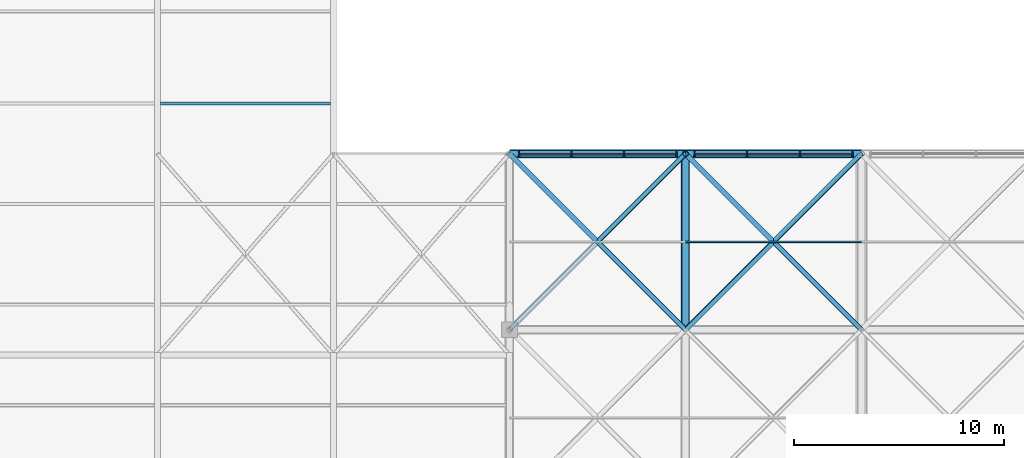
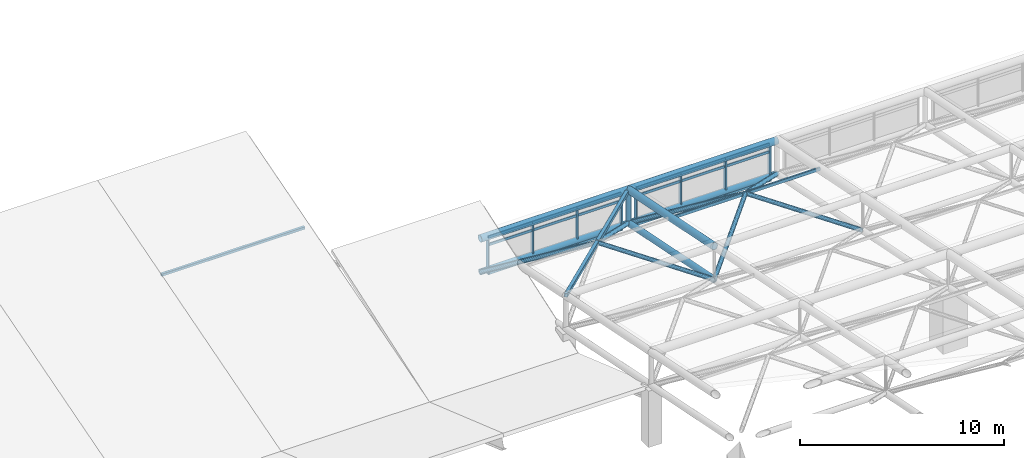
# One storey, part 52 of 110: 43 members, 2 elements without a shape of their own.
"""IFC4 building model written with IfcOpenShell, lengths in metres."""

from ifc_helpers import new_model, si_unit, direction, frame, origin, origin_2d, place, context, subcontext, project, spatial, rectangle, hollow_rectangle, hollow_circle, extrude, material, layer, layer_set, material_profile, profile_set, type_object, element, aggregate, save


model = new_model("IFC4")

# Units and contexts
model_context = context("Model", 3, precision=1e-05, world=origin(), true_north=direction((0.0, 1.0)))
body_context = subcontext(model_context, "Body", "Model", "MODEL_VIEW")
ifc_project = project(units=[si_unit("LENGTHUNIT", "METRE"), si_unit("AREAUNIT", "SQUARE_METRE"), si_unit("VOLUMEUNIT", "CUBIC_METRE"), si_unit("PLANEANGLEUNIT", "RADIAN"), si_unit("MASSUNIT", "GRAM", prefix="KILO")], contexts=[model_context])

# Site, building, storey
site_placement = place(None, origin())
site = spatial("IfcSite", under=ifc_project, at=site_placement, CompositionType="ELEMENT")
building_placement = place(site_placement, origin())
building = spatial("IfcBuilding", under=site, at=building_placement, Name="Qawsi Khor Wholesale Market", CompositionType="ELEMENT")
storey_placement = place(building_placement, frame((0.0, 0.0, 11.39990234375)))
storey = spatial("IfcBuildingStorey", under=building, at=storey_placement, Name="L02", CompositionType="ELEMENT", Elevation=11.39990234375)

# Member
ifc_material_1 = material(Name="Steel S355", Category="steel")
ifc_material_profile_1 = material_profile(ifc_material_1, hollow_rectangle(XDim=0.14990234375, YDim=0.14990234375, WallThickness=0.008056640625, InnerFilletRadius=0.008056640625, OuterFilletRadius=0.01611328125, at=origin_2d()), Name="SHS 150x150x8.0")
ifc_profile_set_1 = profile_set([ifc_material_profile_1], Name="Steel S355")
member_type_1 = type_object("IfcMemberType", Name="Auction Shed Purlin SHS 150x150x8.0", PredefinedType="PURLIN", material=ifc_profile_set_1)
member_1_placement = place(storey_placement, frame((126.14990234375, 111.60009765625, 4.183349609375), z_axis=(1.0, 0.0, 0.0), x_axis=(0.0, 1.0, 0.0)))
element("IfcMember", 1, at=member_1_placement, inside=storey, type_object=member_type_1, Name="Auction Roof Purlin 16-5", PredefinedType="PURLIN", context=body_context, shape_type="SweptSolid", body=[
    extrude(hollow_rectangle(XDim=0.14990234375, YDim=0.14990234375, WallThickness=0.008056640625, InnerFilletRadius=0.008056640625, OuterFilletRadius=0.01611328125, at=origin_2d()), origin(), (0.0, 0.0, 1.0), 8.10009765625),
])

# Curtain wall, members
ifc_material_2 = material(Name="Aluminium Anodised Bronze", Category="aluminium")
ifc_layer = layer(ifc_material_2, 0.199951171875, Name="Aluminium Anodised Bronze")
ifc_layer_set = layer_set([ifc_layer], Name="Aluminium Anodised Bronze")
curtain_wall_type = type_object("IfcCurtainWallType", Name="Trading Hall North-Light Curtain Wall CW-03", PredefinedType="NOTDEFINED", material=ifc_layer_set)
curtain_wall_1_placement = place(storey_placement, origin())
curtain_wall_1 = element("IfcCurtainWall", 2, at=curtain_wall_1_placement, inside=storey, type_object=curtain_wall_type, Name="Curtain wall CW-CW-03-L02-145", PredefinedType="NOTDEFINED")
ifc_material_profile_2 = material_profile(ifc_material_2, rectangle(XDim=0.074951171875, YDim=0.219970703125, at=origin_2d()), Name="ALU MULLION 75x220")
ifc_profile_set_2 = profile_set([ifc_material_profile_2], Name="Aluminium Anodised Bronze")
member_type_2 = type_object("IfcMemberType", Name="Curtain Wall Mullion CW-03 ALU MULLION 75x220", PredefinedType="MULLION", material=ifc_profile_set_2)
member_2_placement = place(storey_placement, frame((143.24755859375, 109.199951171875, -0.289794921875), z_axis=(0.0, 0.0, 1.0), x_axis=(1.0, 0.0, 0.0)))
member_2 = element("IfcMember", 3, at=member_2_placement, type_object=member_type_2, Name="Mullion CW-CW-03-L02-145-M00", PredefinedType="MULLION", context=body_context, shape_type="SweptSolid", body=[
    extrude(rectangle(XDim=0.074951171875, YDim=0.219970703125, at=origin_2d()), origin(), (0.0, 0.0, 1.0), 2.18994140625),
])
member_3_placement = place(storey_placement, frame((145.757568359375, 109.199951171875, -0.289794921875), z_axis=(0.0, 0.0, 1.0), x_axis=(1.0, 0.0, 0.0)))
member_3 = element("IfcMember", 4, at=member_3_placement, type_object=member_type_2, Name="Mullion CW-CW-03-L02-145-M01", PredefinedType="MULLION", context=body_context, shape_type="SweptSolid", body=[
    extrude(rectangle(XDim=0.074951171875, YDim=0.219970703125, at=origin_2d()), origin(), (0.0, 0.0, 1.0), 2.18994140625),
])
member_4_placement = place(storey_placement, frame((148.267578125, 109.199951171875, -0.289794921875), z_axis=(0.0, 0.0, 1.0), x_axis=(1.0, 0.0, 0.0)))
member_4 = element("IfcMember", 5, at=member_4_placement, type_object=member_type_2, Name="Mullion CW-CW-03-L02-145-M02", PredefinedType="MULLION", context=body_context, shape_type="SweptSolid", body=[
    extrude(rectangle(XDim=0.074951171875, YDim=0.219970703125, at=origin_2d()), origin(), (0.0, 0.0, 1.0), 2.18994140625),
])
member_5_placement = place(storey_placement, frame((150.777587890625, 109.199951171875, -0.289794921875), z_axis=(0.0, 0.0, 1.0), x_axis=(1.0, 0.0, 0.0)))
member_5 = element("IfcMember", 6, at=member_5_placement, type_object=member_type_2, Name="Mullion CW-CW-03-L02-145-M03", PredefinedType="MULLION", context=body_context, shape_type="SweptSolid", body=[
    extrude(rectangle(XDim=0.074951171875, YDim=0.219970703125, at=origin_2d()), origin(), (0.0, 0.0, 1.0), 2.18994140625),
])

curtain_wall_2_placement = place(storey_placement, origin())
curtain_wall_2 = element("IfcCurtainWall", 7, at=curtain_wall_2_placement, inside=storey, type_object=curtain_wall_type, Name="Curtain wall CW-CW-03-L02-146", PredefinedType="NOTDEFINED")
member_6_placement = place(storey_placement, frame((151.62255859375, 109.199951171875, -0.289794921875), z_axis=(0.0, 0.0, 1.0), x_axis=(1.0, 0.0, 0.0)))
member_6 = element("IfcMember", 8, at=member_6_placement, type_object=member_type_2, Name="Mullion CW-CW-03-L02-146-M00", PredefinedType="MULLION", context=body_context, shape_type="SweptSolid", body=[
    extrude(rectangle(XDim=0.074951171875, YDim=0.219970703125, at=origin_2d()), origin(), (0.0, 0.0, 1.0), 2.18994140625),
])
member_7_placement = place(storey_placement, frame((154.140869140625, 109.199951171875, -0.289794921875), z_axis=(0.0, 0.0, 1.0), x_axis=(1.0, 0.0, 0.0)))
member_7 = element("IfcMember", 9, at=member_7_placement, type_object=member_type_2, Name="Mullion CW-CW-03-L02-146-M01", PredefinedType="MULLION", context=body_context, shape_type="SweptSolid", body=[
    extrude(rectangle(XDim=0.074951171875, YDim=0.219970703125, at=origin_2d()), origin(), (0.0, 0.0, 1.0), 2.18994140625),
])
member_8_placement = place(storey_placement, frame((156.6591796875, 109.199951171875, -0.289794921875), z_axis=(0.0, 0.0, 1.0), x_axis=(1.0, 0.0, 0.0)))
member_8 = element("IfcMember", 10, at=member_8_placement, type_object=member_type_2, Name="Mullion CW-CW-03-L02-146-M02", PredefinedType="MULLION", context=body_context, shape_type="SweptSolid", body=[
    extrude(rectangle(XDim=0.074951171875, YDim=0.219970703125, at=origin_2d()), origin(), (0.0, 0.0, 1.0), 2.18994140625),
])
member_9_placement = place(storey_placement, frame((159.177490234375, 109.199951171875, -0.289794921875), z_axis=(0.0, 0.0, 1.0), x_axis=(1.0, 0.0, 0.0)))
member_9 = element("IfcMember", 11, at=member_9_placement, type_object=member_type_2, Name="Mullion CW-CW-03-L02-146-M03", PredefinedType="MULLION", context=body_context, shape_type="SweptSolid", body=[
    extrude(rectangle(XDim=0.074951171875, YDim=0.219970703125, at=origin_2d()), origin(), (0.0, 0.0, 1.0), 2.18994140625),
])

# Member
ifc_material_profile_3 = material_profile(ifc_material_2, rectangle(XDim=0.070068359375, YDim=0.14990234375, at=origin_2d()), Name="ALU TRANSOM 70x150")
ifc_profile_set_3 = profile_set([ifc_material_profile_3], Name="Aluminium Anodised Bronze")
member_type_3 = type_object("IfcMemberType", Name="Curtain Wall Transom CW-03 ALU TRANSOM 70x150", PredefinedType="USERDEFINED", material=ifc_profile_set_3)
member_10_placement = place(storey_placement, frame((143.24755859375, 109.199951171875, -0.27001953125), z_axis=(1.0, 0.0, 0.0), x_axis=(0.0, 1.0, 0.0)))
member_10 = element("IfcMember", 12, at=member_10_placement, type_object=member_type_3, Name="Transom CW-CW-03-L02-145-T0_00", ObjectType="TRANSOM", PredefinedType="USERDEFINED", context=body_context, shape_type="SweptSolid", body=[
    extrude(rectangle(XDim=0.070068359375, YDim=0.14990234375, at=origin_2d()), origin(), (0.0, 0.0, 1.0), 2.510009765625),
])

member_11_placement = place(storey_placement, frame((145.757568359375, 109.199951171875, -0.27001953125), z_axis=(1.0, 0.0, 0.0), x_axis=(0.0, 1.0, 0.0)))
member_11 = element("IfcMember", 13, at=member_11_placement, type_object=member_type_3, Name="Transom CW-CW-03-L02-145-T0_01", ObjectType="TRANSOM", PredefinedType="USERDEFINED", context=body_context, shape_type="SweptSolid", body=[
    extrude(rectangle(XDim=0.070068359375, YDim=0.14990234375, at=origin_2d()), origin(), (0.0, 0.0, 1.0), 2.510009765625),
])

member_12_placement = place(storey_placement, frame((148.267578125, 109.199951171875, -0.27001953125), z_axis=(1.0, 0.0, 0.0), x_axis=(0.0, 1.0, 0.0)))
member_12 = element("IfcMember", 14, at=member_12_placement, type_object=member_type_3, Name="Transom CW-CW-03-L02-145-T0_02", ObjectType="TRANSOM", PredefinedType="USERDEFINED", context=body_context, shape_type="SweptSolid", body=[
    extrude(rectangle(XDim=0.070068359375, YDim=0.14990234375, at=origin_2d()), origin(), (0.0, 0.0, 1.0), 2.510009765625),
])

member_13_placement = place(storey_placement, frame((143.24755859375, 109.199951171875, 1.4501953125), z_axis=(1.0, 0.0, 0.0), x_axis=(0.0, 1.0, 0.0)))
member_13 = element("IfcMember", 15, at=member_13_placement, type_object=member_type_3, Name="Transom CW-CW-03-L02-145-T1_00", ObjectType="TRANSOM", PredefinedType="USERDEFINED", context=body_context, shape_type="SweptSolid", body=[
    extrude(rectangle(XDim=0.070068359375, YDim=0.14990234375, at=origin_2d()), origin(), (0.0, 0.0, 1.0), 2.510009765625),
])

member_14_placement = place(storey_placement, frame((145.757568359375, 109.199951171875, 1.4501953125), z_axis=(1.0, 0.0, 0.0), x_axis=(0.0, 1.0, 0.0)))
member_14 = element("IfcMember", 16, at=member_14_placement, type_object=member_type_3, Name="Transom CW-CW-03-L02-145-T1_01", ObjectType="TRANSOM", PredefinedType="USERDEFINED", context=body_context, shape_type="SweptSolid", body=[
    extrude(rectangle(XDim=0.070068359375, YDim=0.14990234375, at=origin_2d()), origin(), (0.0, 0.0, 1.0), 2.510009765625),
])

member_15_placement = place(storey_placement, frame((148.267578125, 109.199951171875, 1.4501953125), z_axis=(1.0, 0.0, 0.0), x_axis=(0.0, 1.0, 0.0)))
member_15 = element("IfcMember", 17, at=member_15_placement, type_object=member_type_3, Name="Transom CW-CW-03-L02-145-T1_02", ObjectType="TRANSOM", PredefinedType="USERDEFINED", context=body_context, shape_type="SweptSolid", body=[
    extrude(rectangle(XDim=0.070068359375, YDim=0.14990234375, at=origin_2d()), origin(), (0.0, 0.0, 1.0), 2.510009765625),
])

member_16_placement = place(storey_placement, frame((143.24755859375, 109.199951171875, 1.900146484375), z_axis=(1.0, 0.0, 0.0), x_axis=(0.0, 1.0, 0.0)))
member_16 = element("IfcMember", 18, at=member_16_placement, type_object=member_type_3, Name="Transom CW-CW-03-L02-145-T2_00", ObjectType="TRANSOM", PredefinedType="USERDEFINED", context=body_context, shape_type="SweptSolid", body=[
    extrude(rectangle(XDim=0.070068359375, YDim=0.14990234375, at=origin_2d()), origin(), (0.0, 0.0, 1.0), 2.510009765625),
])

member_17_placement = place(storey_placement, frame((145.757568359375, 109.199951171875, 1.900146484375), z_axis=(1.0, 0.0, 0.0), x_axis=(0.0, 1.0, 0.0)))
member_17 = element("IfcMember", 19, at=member_17_placement, type_object=member_type_3, Name="Transom CW-CW-03-L02-145-T2_01", ObjectType="TRANSOM", PredefinedType="USERDEFINED", context=body_context, shape_type="SweptSolid", body=[
    extrude(rectangle(XDim=0.070068359375, YDim=0.14990234375, at=origin_2d()), origin(), (0.0, 0.0, 1.0), 2.510009765625),
])

member_18_placement = place(storey_placement, frame((148.267578125, 109.199951171875, 1.900146484375), z_axis=(1.0, 0.0, 0.0), x_axis=(0.0, 1.0, 0.0)))
member_18 = element("IfcMember", 20, at=member_18_placement, type_object=member_type_3, Name="Transom CW-CW-03-L02-145-T2_02", ObjectType="TRANSOM", PredefinedType="USERDEFINED", context=body_context, shape_type="SweptSolid", body=[
    extrude(rectangle(XDim=0.070068359375, YDim=0.14990234375, at=origin_2d()), origin(), (0.0, 0.0, 1.0), 2.510009765625),
])

aggregate(curtain_wall_1, [member_2, member_3, member_4, member_5, member_10, member_11, member_12, member_13, member_14, member_15, member_16, member_17, member_18])

member_19_placement = place(storey_placement, frame((151.62255859375, 109.199951171875, -0.27001953125), z_axis=(1.0, 0.0, 0.0), x_axis=(0.0, 1.0, 0.0)))
member_19 = element("IfcMember", 21, at=member_19_placement, type_object=member_type_3, Name="Transom CW-CW-03-L02-146-T0_00", ObjectType="TRANSOM", PredefinedType="USERDEFINED", context=body_context, shape_type="SweptSolid", body=[
    extrude(rectangle(XDim=0.070068359375, YDim=0.14990234375, at=origin_2d()), origin(), (0.0, 0.0, 1.0), 2.518310546875),
])

member_20_placement = place(storey_placement, frame((154.140869140625, 109.199951171875, -0.27001953125), z_axis=(1.0, 0.0, 0.0), x_axis=(0.0, 1.0, 0.0)))
member_20 = element("IfcMember", 22, at=member_20_placement, type_object=member_type_3, Name="Transom CW-CW-03-L02-146-T0_01", ObjectType="TRANSOM", PredefinedType="USERDEFINED", context=body_context, shape_type="SweptSolid", body=[
    extrude(rectangle(XDim=0.070068359375, YDim=0.14990234375, at=origin_2d()), origin(), (0.0, 0.0, 1.0), 2.518310546875),
])

member_21_placement = place(storey_placement, frame((156.6591796875, 109.199951171875, -0.27001953125), z_axis=(1.0, 0.0, 0.0), x_axis=(0.0, 1.0, 0.0)))
member_21 = element("IfcMember", 23, at=member_21_placement, type_object=member_type_3, Name="Transom CW-CW-03-L02-146-T0_02", ObjectType="TRANSOM", PredefinedType="USERDEFINED", context=body_context, shape_type="SweptSolid", body=[
    extrude(rectangle(XDim=0.070068359375, YDim=0.14990234375, at=origin_2d()), origin(), (0.0, 0.0, 1.0), 2.518310546875),
])

member_22_placement = place(storey_placement, frame((151.62255859375, 109.199951171875, 1.4501953125), z_axis=(1.0, 0.0, 0.0), x_axis=(0.0, 1.0, 0.0)))
member_22 = element("IfcMember", 24, at=member_22_placement, type_object=member_type_3, Name="Transom CW-CW-03-L02-146-T1_00", ObjectType="TRANSOM", PredefinedType="USERDEFINED", context=body_context, shape_type="SweptSolid", body=[
    extrude(rectangle(XDim=0.070068359375, YDim=0.14990234375, at=origin_2d()), origin(), (0.0, 0.0, 1.0), 2.518310546875),
])

member_23_placement = place(storey_placement, frame((154.140869140625, 109.199951171875, 1.4501953125), z_axis=(1.0, 0.0, 0.0), x_axis=(0.0, 1.0, 0.0)))
member_23 = element("IfcMember", 25, at=member_23_placement, type_object=member_type_3, Name="Transom CW-CW-03-L02-146-T1_01", ObjectType="TRANSOM", PredefinedType="USERDEFINED", context=body_context, shape_type="SweptSolid", body=[
    extrude(rectangle(XDim=0.070068359375, YDim=0.14990234375, at=origin_2d()), origin(), (0.0, 0.0, 1.0), 2.518310546875),
])

member_24_placement = place(storey_placement, frame((156.6591796875, 109.199951171875, 1.4501953125), z_axis=(1.0, 0.0, 0.0), x_axis=(0.0, 1.0, 0.0)))
member_24 = element("IfcMember", 26, at=member_24_placement, type_object=member_type_3, Name="Transom CW-CW-03-L02-146-T1_02", ObjectType="TRANSOM", PredefinedType="USERDEFINED", context=body_context, shape_type="SweptSolid", body=[
    extrude(rectangle(XDim=0.070068359375, YDim=0.14990234375, at=origin_2d()), origin(), (0.0, 0.0, 1.0), 2.518310546875),
])

member_25_placement = place(storey_placement, frame((151.62255859375, 109.199951171875, 1.900146484375), z_axis=(1.0, 0.0, 0.0), x_axis=(0.0, 1.0, 0.0)))
member_25 = element("IfcMember", 27, at=member_25_placement, type_object=member_type_3, Name="Transom CW-CW-03-L02-146-T2_00", ObjectType="TRANSOM", PredefinedType="USERDEFINED", context=body_context, shape_type="SweptSolid", body=[
    extrude(rectangle(XDim=0.070068359375, YDim=0.14990234375, at=origin_2d()), origin(), (0.0, 0.0, 1.0), 2.518310546875),
])

member_26_placement = place(storey_placement, frame((154.140869140625, 109.199951171875, 1.900146484375), z_axis=(1.0, 0.0, 0.0), x_axis=(0.0, 1.0, 0.0)))
member_26 = element("IfcMember", 28, at=member_26_placement, type_object=member_type_3, Name="Transom CW-CW-03-L02-146-T2_01", ObjectType="TRANSOM", PredefinedType="USERDEFINED", context=body_context, shape_type="SweptSolid", body=[
    extrude(rectangle(XDim=0.070068359375, YDim=0.14990234375, at=origin_2d()), origin(), (0.0, 0.0, 1.0), 2.518310546875),
])

member_27_placement = place(storey_placement, frame((156.6591796875, 109.199951171875, 1.900146484375), z_axis=(1.0, 0.0, 0.0), x_axis=(0.0, 1.0, 0.0)))
member_27 = element("IfcMember", 29, at=member_27_placement, type_object=member_type_3, Name="Transom CW-CW-03-L02-146-T2_02", ObjectType="TRANSOM", PredefinedType="USERDEFINED", context=body_context, shape_type="SweptSolid", body=[
    extrude(rectangle(XDim=0.070068359375, YDim=0.14990234375, at=origin_2d()), origin(), (0.0, 0.0, 1.0), 2.518310546875),
])

aggregate(curtain_wall_2, [member_6, member_7, member_8, member_9, member_19, member_20, member_21, member_22, member_23, member_24, member_25, member_26, member_27])

# Members
ifc_material_profile_4 = material_profile(ifc_material_1, hollow_rectangle(XDim=0.199951171875, YDim=0.199951171875, WallThickness=0.010009765625, InnerFilletRadius=0.010009765625, OuterFilletRadius=0.02001953125, at=origin_2d()), Name="SHS 200x200x10.0")
ifc_profile_set_4 = profile_set([ifc_material_profile_4], Name="Steel S355")
member_type_4 = type_object("IfcMemberType", Name="Roof Plan Brace SHS 200x200x10.0", PredefinedType="BRACE", material=ifc_profile_set_4)
member_28_placement = place(storey_placement, frame((142.800048828125, 100.800048828125, 3.670166015625), z_axis=(0.699975935871, 0.699975935871, -0.14165937457), x_axis=(-0.707106781187, 0.707106781187, 0.0)))
element("IfcMember", 30, at=member_28_placement, inside=storey, type_object=member_type_4, Name="Space frame plan brace EH (17,12)", PredefinedType="BRACE", context=body_context, shape_type="SweptSolid", body=[
    extrude(hollow_rectangle(XDim=0.199951171875, YDim=0.199951171875, WallThickness=0.010009765625, InnerFilletRadius=0.010009765625, OuterFilletRadius=0.02001953125, at=origin_2d()), origin(), (0.0, 0.0, 1.0), 12.000244140625),
])
ifc_material_profile_5 = material_profile(ifc_material_1, hollow_circle(Radius=0.177734375, WallThickness=0.01611328125, at=origin_2d()), Name="CHS 355.6x16.0")
ifc_profile_set_5 = profile_set([ifc_material_profile_5], Name="Steel S355")
member_type_5 = type_object("IfcMemberType", Name="Space-Frame Bottom Chord CHS 355.6x16.0", PredefinedType="CHORD", material=ifc_profile_set_5)
member_29_placement = place(storey_placement, frame((151.199951171875, 100.800048828125, 1.670166015625), z_axis=(0.0, 0.980129990483, -0.1983562496), x_axis=(-1.0, 0.0, 0.0)))
element("IfcMember", 31, at=member_29_placement, inside=storey, type_object=member_type_5, Name="Space frame bottom chord Y EH (18,12)", PredefinedType="CHORD", context=body_context, shape_type="SweptSolid", body=[
    extrude(hollow_circle(Radius=0.177734375, WallThickness=0.01611328125, at=origin_2d()), origin(), (0.0, 0.0, 1.0), 8.5703125),
])
ifc_material_profile_6 = material_profile(ifc_material_1, hollow_circle(Radius=0.136474609375, WallThickness=0.012451171875, at=origin_2d()), Name="CHS 273.0x12.5")
ifc_profile_set_6 = profile_set([ifc_material_profile_6], Name="Steel S355")
member_type_6 = type_object("IfcMemberType", Name="Space-Frame Edge Post CHS 273.0x12.5", PredefinedType="POST", material=ifc_profile_set_6)
member_30_placement = place(storey_placement, frame((151.199951171875, 109.199951171875, -0.02978515625), z_axis=(0.0, 0.0, 1.0), x_axis=(1.0, 0.0, 0.0)))
element("IfcMember", 32, at=member_30_placement, inside=storey, type_object=member_type_6, Name="Space frame post EH (18,13)", PredefinedType="POST", context=body_context, shape_type="SweptSolid", body=[
    extrude(hollow_circle(Radius=0.136474609375, WallThickness=0.012451171875, at=origin_2d()), origin(), (0.0, 0.0, 1.0), 2.0),
])
ifc_material_profile_7 = material_profile(ifc_material_1, hollow_circle(Radius=0.122314453125, WallThickness=0.012451171875, at=origin_2d()), Name="CHS 244.5x12.5")
ifc_profile_set_7 = profile_set([ifc_material_profile_7], Name="Steel S355")
member_type_7 = type_object("IfcMemberType", Name="Space-Frame Heavy Diagonal CHS 244.5x12.5", PredefinedType="POST", material=ifc_profile_set_7)
member_31_placement = place(storey_placement, frame((151.199951171875, 100.800048828125, 1.670166015625), z_axis=(-0.694216714393, 0.694216714393, 0.190069216113), x_axis=(-0.707106781187, -0.707106781187, 0.0)))
element("IfcMember", 33, at=member_31_placement, inside=storey, type_object=member_type_7, Name="Space frame diagonal EH (17,12)-2", PredefinedType="POST", context=body_context, shape_type="SweptSolid", body=[
    extrude(hollow_circle(Radius=0.122314453125, WallThickness=0.012451171875, at=origin_2d()), origin(), (0.0, 0.0, 1.0), 6.0498046875),
])
for number, where, z_axis, x_axis, name in (
    (34, (151.199951171875, 109.199951171875, -0.02978515625), (-0.637521961484, -0.637521961484, 0.432586982294), (0.707106781187, -0.707106781187, 0.0), "Space frame diagonal EH (17,12)-3"),
    (35, (142.800048828125, 109.199951171875, -0.02978515625), (0.637521961484, -0.637521961484, 0.432586982294), (0.707106781187, 0.707106781187, 0.0), "Space frame diagonal EH (17,12)-4"),
):
    element("IfcMember", number, at=place(storey_placement, frame(where, z_axis=z_axis, x_axis=x_axis)), inside=storey, type_object=member_type_7, Name=name, PredefinedType="POST", context=body_context, shape_type="SweptSolid", body=[
        extrude(hollow_circle(Radius=0.122314453125, WallThickness=0.012451171875, at=origin_2d()), origin(), (0.0, 0.0, 1.0), 6.587890625),
    ])
member_32_placement = place(storey_placement, frame((151.199951171875, 100.800048828125, 1.670166015625), z_axis=(0.694216714393, 0.694216714393, 0.190069216113), x_axis=(-0.707106781187, 0.707106781187, 0.0)))
element("IfcMember", 36, at=member_32_placement, inside=storey, type_object=member_type_7, Name="Space frame diagonal EH (18,12)-1", PredefinedType="POST", context=body_context, shape_type="SweptSolid", body=[
    extrude(hollow_circle(Radius=0.122314453125, WallThickness=0.012451171875, at=origin_2d()), origin(), (0.0, 0.0, 1.0), 6.0498046875),
])
member_33_placement = place(storey_placement, frame((159.60009765625, 100.800048828125, 1.670166015625), z_axis=(-0.694237619642, 0.694197266374, 0.19006389145), x_axis=(-0.70708622964, -0.707127332136, 0.0)))
element("IfcMember", 37, at=member_33_placement, inside=storey, type_object=member_type_7, Name="Space frame diagonal EH (18,12)-2", PredefinedType="POST", context=body_context, shape_type="SweptSolid", body=[
    extrude(hollow_circle(Radius=0.122314453125, WallThickness=0.012451171875, at=origin_2d()), origin(), (0.0, 0.0, 1.0), 6.050048828125),
])
member_34_placement = place(storey_placement, frame((159.60009765625, 109.199951171875, -0.02978515625), z_axis=(-0.637543957519, -0.637506899628, 0.432576762155), x_axis=(0.70708622964, -0.707127332136, 0.0)))
element("IfcMember", 38, at=member_34_placement, inside=storey, type_object=member_type_7, Name="Space frame diagonal EH (18,12)-3", PredefinedType="POST", context=body_context, shape_type="SweptSolid", body=[
    extrude(hollow_circle(Radius=0.122314453125, WallThickness=0.012451171875, at=origin_2d()), origin(), (0.0, 0.0, 1.0), 6.588134765625),
])
member_35_placement = place(storey_placement, frame((151.199951171875, 109.199951171875, -0.02978515625), z_axis=(0.637521961484, -0.637521961484, 0.432586982294), x_axis=(0.707106781187, 0.707106781187, 0.0)))
element("IfcMember", 39, at=member_35_placement, inside=storey, type_object=member_type_7, Name="Space frame diagonal EH (18,12)-4", PredefinedType="POST", context=body_context, shape_type="SweptSolid", body=[
    extrude(hollow_circle(Radius=0.122314453125, WallThickness=0.012451171875, at=origin_2d()), origin(), (0.0, 0.0, 1.0), 6.587890625),
])
ifc_material_profile_8 = material_profile(ifc_material_1, hollow_rectangle(XDim=0.10009765625, YDim=0.199951171875, WallThickness=0.008056640625, InnerFilletRadius=0.008056640625, OuterFilletRadius=0.01611328125, at=origin_2d()), Name="RHS 200x100x8.0")
ifc_profile_set_8 = profile_set([ifc_material_profile_8], Name="Steel S355")
member_type_8 = type_object("IfcMemberType", Name="Space-Frame Purlin RHS 200x100x8.0", PredefinedType="PURLIN", material=ifc_profile_set_8)
member_36_placement = place(storey_placement, frame((151.199951171875, 105.0, 2.820068359375), z_axis=(1.0, 0.0, 0.0), x_axis=(0.0, 1.0, 0.0)))
element("IfcMember", 40, at=member_36_placement, inside=storey, type_object=member_type_8, Name="Space frame purlin EH (18,12)", PredefinedType="PURLIN", context=body_context, shape_type="SweptSolid", body=[
    extrude(hollow_rectangle(XDim=0.10009765625, YDim=0.199951171875, WallThickness=0.008056640625, InnerFilletRadius=0.008056640625, OuterFilletRadius=0.01611328125, at=origin_2d()), origin(), (0.0, 0.0, 1.0), 8.400146484375),
])
ifc_material_profile_9 = material_profile(ifc_material_1, hollow_circle(Radius=0.161865234375, WallThickness=0.01611328125, at=origin_2d()), Name="CHS 323.9x16.0")
ifc_profile_set_9 = profile_set([ifc_material_profile_9], Name="Steel S355")
member_type_9 = type_object("IfcMemberType", Name="Space-Frame Secondary Chord CHS 323.9x16.0", PredefinedType="CHORD", material=ifc_profile_set_9)
member_37_placement = place(storey_placement, frame((142.800048828125, 109.199951171875, -0.02978515625), z_axis=(1.0, 0.0, 0.0), x_axis=(0.0, 1.0, 0.0)))
element("IfcMember", 41, at=member_37_placement, inside=storey, type_object=member_type_9, Name="Space frame bottom chord X EH (17,13)", PredefinedType="CHORD", context=body_context, shape_type="SweptSolid", body=[
    extrude(hollow_circle(Radius=0.161865234375, WallThickness=0.01611328125, at=origin_2d()), origin(), (0.0, 0.0, 1.0), 8.39990234375),
])
member_38_placement = place(storey_placement, frame((151.199951171875, 109.199951171875, -0.02978515625), z_axis=(1.0, 0.0, 0.0), x_axis=(0.0, 1.0, 0.0)))
element("IfcMember", 42, at=member_38_placement, inside=storey, type_object=member_type_9, Name="Space frame bottom chord X EH (18,13)", PredefinedType="CHORD", context=body_context, shape_type="SweptSolid", body=[
    extrude(hollow_circle(Radius=0.161865234375, WallThickness=0.01611328125, at=origin_2d()), origin(), (0.0, 0.0, 1.0), 8.400146484375),
])
ifc_material_profile_10 = material_profile(ifc_material_1, hollow_circle(Radius=0.203125, WallThickness=0.02001953125, at=origin_2d()), Name="CHS 406.4x20.0")
ifc_profile_set_10 = profile_set([ifc_material_profile_10], Name="Steel S355")
member_type_10 = type_object("IfcMemberType", Name="Space-Frame Top Chord CHS 406.4x20.0", PredefinedType="CHORD", material=ifc_profile_set_10)
member_39_placement = place(storey_placement, frame((142.800048828125, 109.199951171875, 1.97021484375), z_axis=(1.0, 0.0, 0.0), x_axis=(0.0, 1.0, 0.0)))
element("IfcMember", 43, at=member_39_placement, inside=storey, type_object=member_type_10, Name="Space frame top chord X EH (17,13)", PredefinedType="CHORD", context=body_context, shape_type="SweptSolid", body=[
    extrude(hollow_circle(Radius=0.203125, WallThickness=0.02001953125, at=origin_2d()), origin(), (0.0, 0.0, 1.0), 8.39990234375),
])
member_40_placement = place(storey_placement, frame((151.199951171875, 100.800048828125, 3.670166015625), z_axis=(0.0, 0.980129990483, -0.1983562496), x_axis=(-1.0, 0.0, 0.0)))
element("IfcMember", 44, at=member_40_placement, inside=storey, type_object=member_type_10, Name="Space frame top chord Y EH (18,12)", PredefinedType="CHORD", context=body_context, shape_type="SweptSolid", body=[
    extrude(hollow_circle(Radius=0.203125, WallThickness=0.02001953125, at=origin_2d()), origin(), (0.0, 0.0, 1.0), 8.5703125),
])
member_41_placement = place(storey_placement, frame((151.199951171875, 109.199951171875, 1.97021484375), z_axis=(1.0, 0.0, 0.0), x_axis=(0.0, 1.0, 0.0)))
element("IfcMember", 45, at=member_41_placement, inside=storey, type_object=member_type_10, Name="Space frame top chord X EH (18,13)", PredefinedType="CHORD", context=body_context, shape_type="SweptSolid", body=[
    extrude(hollow_circle(Radius=0.203125, WallThickness=0.02001953125, at=origin_2d()), origin(), (0.0, 0.0, 1.0), 8.400146484375),
])

save(model, "model.ifc")
